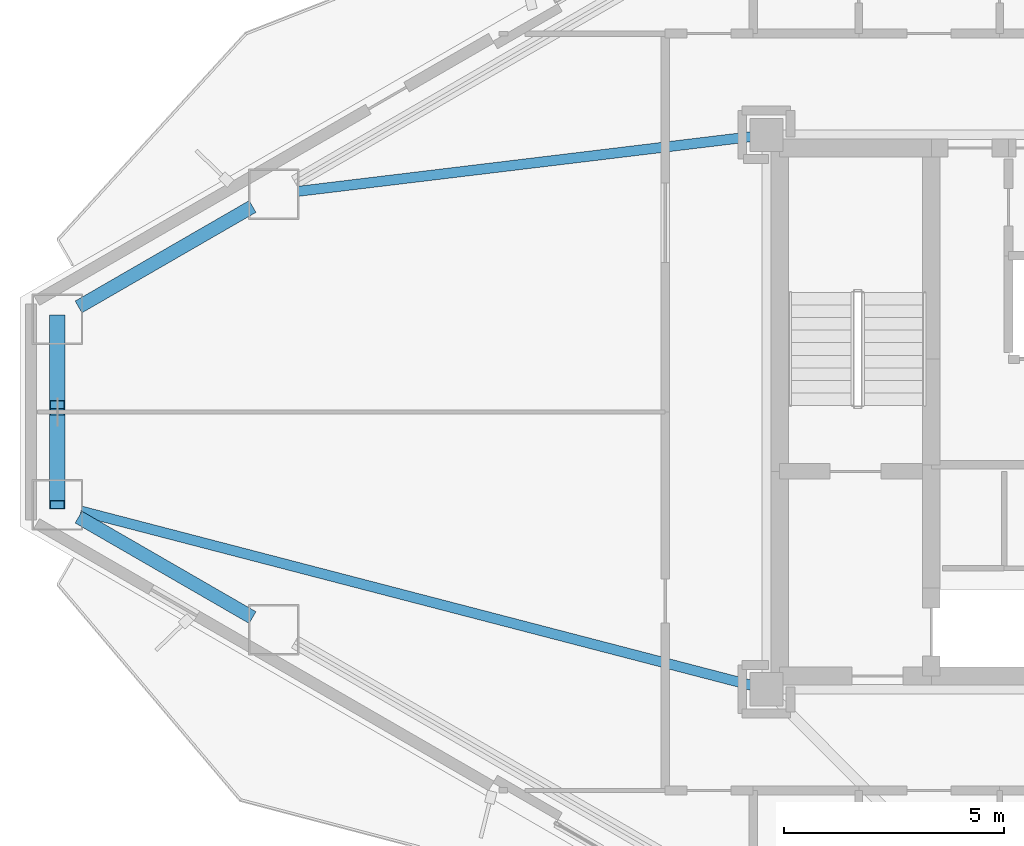
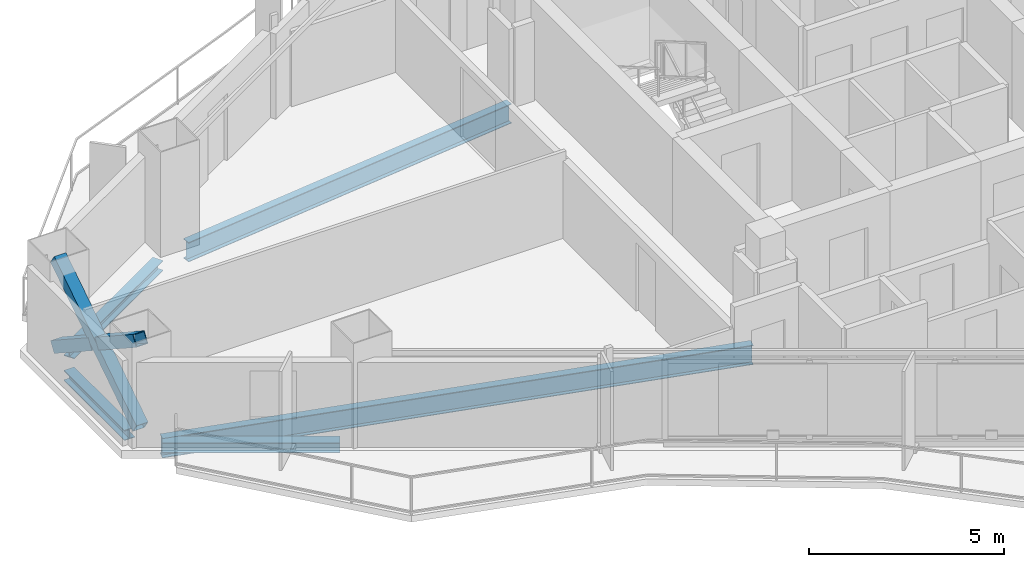
# One storey, part 5 of 22: 5 beams, 3 members.
"""IFC4 building model written with IfcOpenShell, lengths in metres."""

import ifcopenshell
import ifcopenshell.guid

model = None  # the IFC model being written
_history = None  # IfcOwnerHistory: only IFC2X3 demands one
_inside = {}  # id of a spatial element -> (the spatial element, [elements in it])
_under = {}  # id of a project, library or spatial element -> (it, [spatial elements below it])
_declared = {}  # id of a project -> (the project, [libraries it declares])
_typed = {}  # id of a type object -> (the type object, [elements of that type])
_made_of = {}  # id of a material, layer set ... -> (it, [elements and type objects made of it])


def new_model(schema):
    """Start an empty IFC model of exactly this schema.

    Asked for "IFC4X3", IfcOpenShell would pick the latest addendum, in which some entities
    have other attributes; the version numbers below select the first issue.
    IFC2X3 requires an IfcOwnerHistory on every rooted entity: one is made here for all.
    """
    global model, _history
    if schema == "IFC4X3":
        model = ifcopenshell.file(schema_version=(4, 3, 0, 0))
    else:
        model = ifcopenshell.file(schema=schema)
    _inside.clear()
    _under.clear()
    _declared.clear()
    _typed.clear()
    _made_of.clear()
    _history = None
    if model.schema == "IFC2X3":
        org = make("IfcOrganization", Name="unknown")
        user = make(
            "IfcPersonAndOrganization",
            ThePerson=make("IfcPerson", FamilyName="unknown"),
            TheOrganization=org,
        )
        app = make(
            "IfcApplication",
            ApplicationDeveloper=org,
            Version="unknown",
            ApplicationFullName="unknown",
            ApplicationIdentifier="unknown",
        )
        _history = make(
            "IfcOwnerHistory",
            OwningUser=user,
            OwningApplication=app,
            ChangeAction="ADDED",
            CreationDate=0,
        )
    return model


def make(cls, **values):
    """One entity of the class cls with the attributes given. An attribute that is None is left unset."""
    return model.create_entity(
        cls, **{name: value for name, value in values.items() if value is not None}
    )


def rooted(cls, **values):
    """An entity with a GlobalId (a new one), such as an element, a storey or a relation."""
    return make(cls, GlobalId=ifcopenshell.guid.new(), OwnerHistory=_history, **values)


def si_unit(unit_type, name, prefix=None):
    """IfcSIUnit, for example si_unit("LENGTHUNIT", "METRE", prefix="MILLI")."""
    return make("IfcSIUnit", UnitType=unit_type, Prefix=prefix, Name=name)


def assignment(units):
    """IfcUnitAssignment: the units of a project."""
    return None if units is None else make("IfcUnitAssignment", Units=units)


def point(xyz):
    """IfcCartesianPoint."""
    return None if xyz is None else make("IfcCartesianPoint", Coordinates=xyz)


def direction(xyz):
    """IfcDirection."""
    return None if xyz is None else make("IfcDirection", DirectionRatios=xyz)


def frame(location, z_axis=None, x_axis=None):
    """IfcAxis2Placement3D, a coordinate frame: its origin and axes. An axis left out is left unset."""
    return make(
        "IfcAxis2Placement3D",
        Location=point(location),
        Axis=direction(z_axis),
        RefDirection=direction(x_axis),
    )


def frame_2d(location, x_axis=None):
    """IfcAxis2Placement2D, a coordinate frame in the plane: its origin and x axis."""
    return make(
        "IfcAxis2Placement2D", Location=point(location), RefDirection=direction(x_axis)
    )


def origin():
    """The frame at (0, 0, 0) with its axes left unset."""
    return frame((0.0, 0.0, 0.0))


def origin_2d():
    """The frame at (0, 0) in the plane with its x axis left unset."""
    return frame_2d((0.0, 0.0))


def place(relative_to, where):
    """IfcLocalPlacement: puts the frame where relative to a parent placement (None: the world)."""
    return make(
        "IfcLocalPlacement", PlacementRelTo=relative_to, RelativePlacement=where
    )


def context(
    kind, dimensions, precision=None, world=None, true_north=None, identifier=None
):
    """IfcGeometricRepresentationContext, for example the 3D "Model" context."""
    return make(
        "IfcGeometricRepresentationContext",
        ContextIdentifier=identifier,
        ContextType=kind,
        CoordinateSpaceDimension=dimensions,
        Precision=precision,
        WorldCoordinateSystem=world,
        TrueNorth=true_north,
    )


def subcontext(parent, identifier, kind, view, scale=None):
    """IfcGeometricRepresentationSubContext, for example "Body" below "Model"."""
    return make(
        "IfcGeometricRepresentationSubContext",
        ContextIdentifier=identifier,
        ContextType=kind,
        ParentContext=parent,
        TargetScale=scale,
        TargetView=view,
    )


def project(units=None, contexts=None):
    """IfcProject with its units and contexts."""
    return rooted(
        "IfcProject",
        Name="project",
        RepresentationContexts=contexts,
        UnitsInContext=assignment(units),
    )


def spatial(cls, under=None, at=None, **own):
    """A site, building, storey or space (cls), placed at a placement, below another one or the project."""
    s = rooted(cls, ObjectPlacement=at, **own)
    if under is not None:
        _under.setdefault(under.id(), (under, []))[1].append(s)
    return s


def profile(cls, at=None, kind="AREA", **sizes):
    """A parametric profile (cls). Its sizes go by their IFC names, for example OverallWidth=200.0."""
    return make(cls, ProfileType=kind, Position=at, **sizes)


def hollow_rectangle(**sizes):
    """IfcRectangleHollowProfileDef."""
    return profile("IfcRectangleHollowProfileDef", **sizes)


def i_section(**sizes):
    """IfcIShapeProfileDef."""
    return profile("IfcIShapeProfileDef", **sizes)


def extrude(swept, where, along, depth):
    """IfcExtrudedAreaSolid: the profile swept, set in the frame where, extruded along a direction by depth."""
    return make(
        "IfcExtrudedAreaSolid",
        SweptArea=swept,
        Position=where,
        ExtrudedDirection=direction(along),
        Depth=depth,
    )


def shape(context_of_items, identifier, shape_type, items):
    """IfcShapeRepresentation: the items that make up one representation, for example the "Body"."""
    return make(
        "IfcShapeRepresentation",
        ContextOfItems=context_of_items,
        RepresentationIdentifier=identifier,
        RepresentationType=shape_type,
        Items=items,
    )


def material(Name=None, Category=None):
    """IfcMaterial."""
    return make("IfcMaterial", Name=Name, Category=Category)


def material_profile(
    of_material, cross_section, Name=None, Category=None, Priority=None
):
    """IfcMaterialProfile: a cross section and its material."""
    return make(
        "IfcMaterialProfile",
        Name=Name,
        Material=of_material,
        Profile=cross_section,
        Priority=Priority,
        Category=Category,
    )


def profile_set(profiles, Name=None, composite=None):
    """IfcMaterialProfileSet."""
    return make(
        "IfcMaterialProfileSet",
        Name=Name,
        MaterialProfiles=profiles,
        CompositeProfile=composite,
    )


def made_of(thing, what):
    """Note that an element or type object is made of a material, layer set ...; save() writes the relation."""
    if what is not None:
        _made_of.setdefault(what.id(), (what, []))[1].append(thing)
    return thing


def type_object(cls, material=None, **own):
    """A type object (cls), such as IfcWallType, which elements share."""
    return made_of(rooted(cls, **own), material)


def element(
    cls,
    number,
    at=None,
    inside=None,
    cuts=None,
    type_object=None,
    material=None,
    context=None,
    identifier="Body",
    shape_type=None,
    held_by="IfcProductDefinitionShape",
    body=None,
    shapes=None,
    **own,
):
    """One element of the class cls, such as IfcWall. Its Tag is "e" and its number.

    at: its placement. inside: the storey or other place that contains it. cuts: it is an
    opening in that element (IfcRelVoidsElement). A single representation is given by context,
    identifier, shape_type and body (its items); several are given by shapes. held_by: the class
    of the entity that holds the representations. save() writes the other relations.
    """
    e = rooted(cls, Tag="e%d" % number, ObjectPlacement=at, **own)
    if body is not None:
        shapes = [shape(context, identifier, shape_type, body)]
    if shapes is not None:
        e.Representation = make(held_by, Representations=shapes)
    if inside is not None:
        _inside.setdefault(inside.id(), (inside, []))[1].append(e)
    if cuts is not None:
        rooted(
            "IfcRelVoidsElement", RelatingBuildingElement=cuts, RelatedOpeningElement=e
        )
    if type_object is not None:
        _typed.setdefault(type_object.id(), (type_object, []))[1].append(e)
    return made_of(e, material)


def aggregate(whole, parts):
    """IfcRelAggregates: a whole, such as a stair, and the parts it consists of."""
    return rooted("IfcRelAggregates", RelatingObject=whole, RelatedObjects=parts)


def save(model, path):
    """Write the relations noted so far, then the file.

    IfcRelAggregates (storeys below a building ...), IfcRelContainedInSpatialStructure (elements
    in a storey), IfcRelDefinesByType, IfcRelAssociatesMaterial and IfcRelDeclares: one each for
    every whole, place, type object, material and project.
    """
    for whole, parts in _under.values():
        aggregate(whole, parts)
    for where, things in _inside.values():
        rooted(
            "IfcRelContainedInSpatialStructure",
            RelatedElements=things,
            RelatingStructure=where,
        )
    for kind, things in _typed.values():
        rooted("IfcRelDefinesByType", RelatedObjects=things, RelatingType=kind)
    for what, things in _made_of.values():
        rooted("IfcRelAssociatesMaterial", RelatedObjects=things, RelatingMaterial=what)
    for by, libraries in _declared.values():
        rooted("IfcRelDeclares", RelatingContext=by, RelatedDefinitions=libraries)
    model.write(path)


model = new_model("IFC4")

# Units and contexts
model_context = context("Model", 3, precision=1e-05, world=origin(), true_north=direction((0.0, 1.0)))
body_context = subcontext(model_context, "Body", "Model", "MODEL_VIEW")
ifc_project = project(units=[si_unit("LENGTHUNIT", "METRE"), si_unit("AREAUNIT", "SQUARE_METRE"), si_unit("VOLUMEUNIT", "CUBIC_METRE"), si_unit("PLANEANGLEUNIT", "RADIAN"), si_unit("MASSUNIT", "GRAM", prefix="KILO")], contexts=[model_context])

# Site, building, storey
site_placement = place(None, origin())
site = spatial("IfcSite", under=ifc_project, at=site_placement, CompositionType="ELEMENT")
building_placement = place(site_placement, origin())
building = spatial("IfcBuilding", under=site, at=building_placement, Name="Mersakhor Tower and Convention Hall", CompositionType="ELEMENT")
storey_placement = place(building_placement, frame((0.0, 0.0, 109.800048828125)))
storey = spatial("IfcBuildingStorey", under=building, at=storey_placement, Name="L30", CompositionType="ELEMENT", Elevation=109.800048828125)

# Beams
ifc_material_1 = material(Name="Steel S355", Category="steel")
ifc_material_profile_1 = material_profile(ifc_material_1, i_section(OverallWidth=0.22900390625, OverallDepth=0.6123046875, WebThickness=0.011962890625, FlangeThickness=0.01953125, at=origin_2d()), Name="UB 610x229x125")
ifc_profile_set_1 = profile_set([ifc_material_profile_1], Name="Steel S355")
beam_type_1 = type_object("IfcBeamType", Name="BM-PR-610", PredefinedType="BEAM", material=ifc_profile_set_1)
beam_1_placement = place(storey_placement, frame((21.547607421875, 33.007568359375, -0.55615234375), z_axis=(-0.992798075666, -0.119799753563, 0.0), x_axis=(0.119799753563, -0.992798075666, 0.0)))
element("IfcBeam", 1, at=beam_1_placement, inside=storey, type_object=beam_type_1, Name="L30 Primary Floor Girder FG-1", PredefinedType="BEAM", context=body_context, shape_type="SweptSolid", body=[
    extrude(i_section(OverallWidth=0.22900390625, OverallDepth=0.6123046875, WebThickness=0.011962890625, FlangeThickness=0.01953125, at=origin_2d()), origin(), (0.0, 0.0, 1.0), 10.368896484375),
])
beam_2_placement = place(storey_placement, frame((21.556396484375, 20.539306640625, -0.55615234375), z_axis=(-0.967826964314, 0.251616706812, 0.0), x_axis=(-0.251616706812, -0.967826964314, 0.0)))
element("IfcBeam", 2, at=beam_2_placement, inside=storey, type_object=beam_type_1, Name="L30 Primary Floor Girder FG-6", PredefinedType="BEAM", context=body_context, shape_type="SweptSolid", body=[
    extrude(i_section(OverallWidth=0.22900390625, OverallDepth=0.6123046875, WebThickness=0.011962890625, FlangeThickness=0.01953125, at=origin_2d()), origin(), (0.0, 0.0, 1.0), 15.739013671875),
])
ifc_material_2 = material(Name="Steel S355", Category="steel")
ifc_material_profile_2 = material_profile(ifc_material_2, i_section(OverallWidth=0.30908203125, OverallDepth=0.320556640625, WebThickness=0.013916015625, FlangeThickness=0.021728515625, at=origin_2d()), Name="UC 305x305x137")
ifc_profile_set_2 = profile_set([ifc_material_profile_2], Name="Steel S355")
beam_type_2 = type_object("IfcBeamType", Name="BM-SPD-UC305", PredefinedType="SPANDREL", material=ifc_profile_set_2)
for number, where, z_axis, x_axis, name in (
    (3, (6.267333984375, 29.13818359375, -0.410400390625), (0.866023543838, 0.500003221507, 0.0), (-0.500003221507, 0.866023543838, 0.0), "L30 Perimeter Spandrel Beam SPB-01"),
    (4, (10.221923828125, 22.07861328125, -0.410400390625), (-0.866023543838, 0.500003221507, 0.0), (-0.500003221507, -0.866023543838, 0.0), "L30 Perimeter Spandrel Beam SPB-11"),
):
    element("IfcBeam", number, at=place(storey_placement, frame(where, z_axis=z_axis, x_axis=x_axis)), inside=storey, type_object=beam_type_2, Name=name, PredefinedType="SPANDREL", context=body_context, shape_type="SweptSolid", body=[
        extrude(i_section(OverallWidth=0.30908203125, OverallDepth=0.320556640625, WebThickness=0.013916015625, FlangeThickness=0.021728515625, at=origin_2d()), origin(), (0.0, 0.0, 1.0), 4.56640625),
    ])
beam_3_placement = place(storey_placement, frame((5.78662109375, 25.194091796875, -0.410400390625), z_axis=(0.0, 1.0, 0.0), x_axis=(-1.0, 0.0, 0.0)))
element("IfcBeam", 5, at=beam_3_placement, inside=storey, type_object=beam_type_2, Name="L30 Perimeter Spandrel Beam SPB-12", PredefinedType="SPANDREL", context=body_context, shape_type="SweptSolid", body=[
    extrude(i_section(OverallWidth=0.30908203125, OverallDepth=0.320556640625, WebThickness=0.013916015625, FlangeThickness=0.021728515625, at=origin_2d()), origin(), (0.0, 0.0, 1.0), 3.11181640625),
])

# Members
ifc_material_3 = material(Name="Steel S460", Category="steel")
ifc_material_profile_3 = material_profile(ifc_material_3, hollow_rectangle(XDim=0.35009765625, YDim=0.35009765625, WallThickness=0.02001953125, at=origin_2d()), Name="SHS 350x350x20")
ifc_profile_set_3 = profile_set([ifc_material_profile_3], Name="Steel S460")
member_type = type_object("IfcMemberType", Name="MB-BRC-SHS350", PredefinedType="BRACE", material=ifc_profile_set_3)
member_1_placement = place(storey_placement, frame((5.78662109375, 24.63916015625, 0.14990234375), z_axis=(0.0, 0.837907380789, 0.54581244143), x_axis=(-1.0, 0.0, 0.0)))
element("IfcMember", 6, at=member_1_placement, inside=storey, type_object=member_type, Name="L30 Chamfer Braced Frame Diagonal CB-3A", PredefinedType="BRACE", context=body_context, shape_type="SweptSolid", body=[
    extrude(hollow_rectangle(XDim=0.35009765625, YDim=0.35009765625, WallThickness=0.02001953125, at=origin_2d()), origin(), (0.0, 0.0, 1.0), 5.038330078125),
])
member_2_placement = place(storey_placement, frame((5.78662109375, 28.86083984375, 0.14990234375), z_axis=(0.0, -0.83788056026, 0.54585361292), x_axis=(1.0, 0.0, 0.0)))
element("IfcMember", 7, at=member_2_placement, inside=storey, type_object=member_type, Name="L30 Chamfer Braced Frame Diagonal CB-3B Lower Half", PredefinedType="BRACE", context=body_context, shape_type="SweptSolid", body=[
    extrude(hollow_rectangle(XDim=0.35009765625, YDim=0.35009765625, WallThickness=0.02001953125, at=origin_2d()), origin(), (0.0, 0.0, 1.0), 2.320068359375),
])
member_3_placement = place(storey_placement, frame((5.78662109375, 26.5830078125, 1.6337890625), z_axis=(0.0, -0.837928690032, 0.545779727016), x_axis=(1.0, 0.0, 0.0)))
element("IfcMember", 8, at=member_3_placement, inside=storey, type_object=member_type, Name="L30 Chamfer Braced Frame Diagonal CB-3B Upper Half", PredefinedType="BRACE", context=body_context, shape_type="SweptSolid", body=[
    extrude(hollow_rectangle(XDim=0.35009765625, YDim=0.35009765625, WallThickness=0.02001953125, at=origin_2d()), origin(), (0.0, 0.0, 1.0), 2.31982421875),
])

save(model, "model.ifc")
